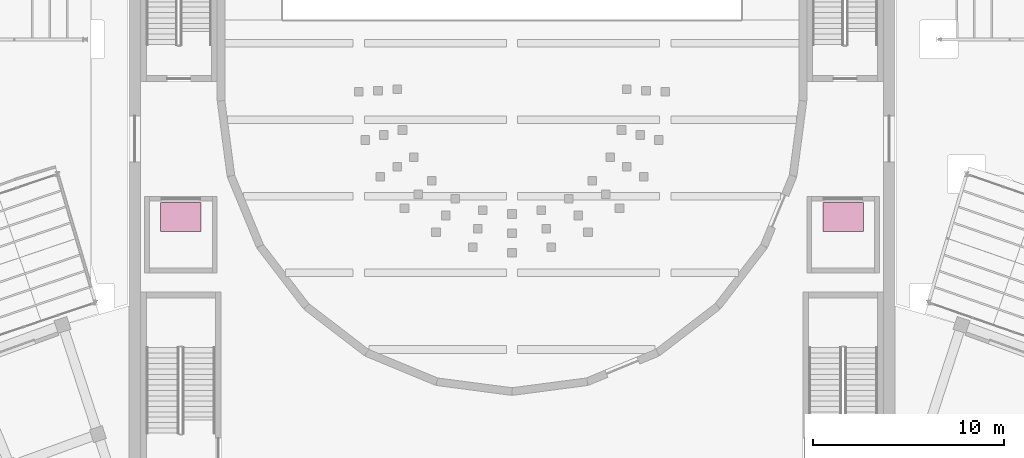
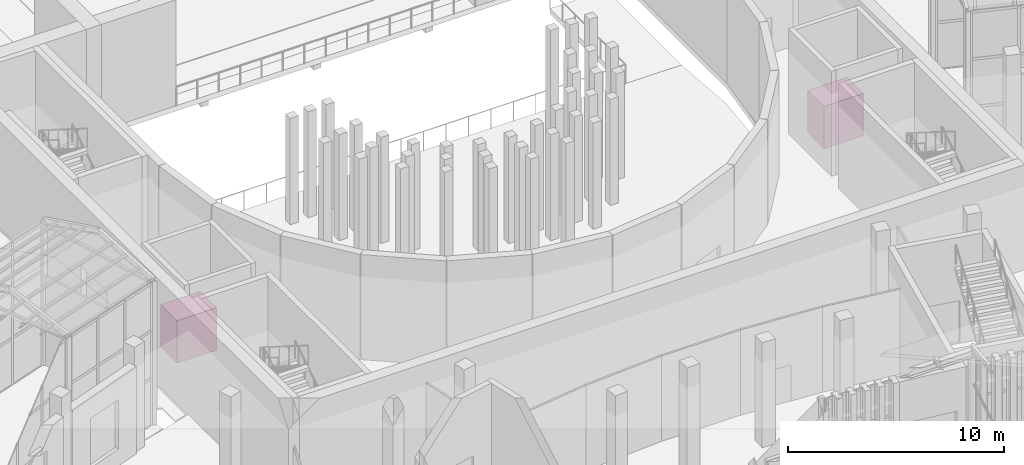
# One storey, part 155 of 155: 2 transport elements.
"""IFC4 building model written with IfcOpenShell, lengths in metres."""

from ifc_helpers import new_model, si_unit, direction, frame, origin, origin_2d, place, context, subcontext, project, spatial, rectangle, extrude, material, type_object, element, save


model = new_model("IFC4")

# Units and contexts
model_context = context("Model", 3, precision=1e-05, world=origin(), true_north=direction((0.0, 1.0)))
body_context = subcontext(model_context, "Body", "Model", "MODEL_VIEW")
ifc_project = project(units=[si_unit("LENGTHUNIT", "METRE"), si_unit("AREAUNIT", "SQUARE_METRE"), si_unit("VOLUMEUNIT", "CUBIC_METRE"), si_unit("PLANEANGLEUNIT", "RADIAN"), si_unit("MASSUNIT", "GRAM", prefix="KILO")], contexts=[model_context])

# Site, building, storey
site_placement = place(None, origin())
site = spatial("IfcSite", under=ifc_project, at=site_placement, CompositionType="ELEMENT")
building_placement = place(site_placement, origin())
building = spatial("IfcBuilding", under=site, at=building_placement, Name="Lunette Opera House", CompositionType="ELEMENT")
storey_placement = place(building_placement, origin())
storey = spatial("IfcBuildingStorey", under=building, at=storey_placement, Name="L00", CompositionType="ELEMENT", Elevation=0.0)

# Transport elements
ifc_material = material(Name="Stainless steel", Category="steel")
transport_element_type = type_object("IfcTransportElementType", Name="LIFT CAR", PredefinedType="ELEVATOR", material=ifc_material)
for number, where, z_axis, x_axis, name in (
    (1, (113.300048828125, 77.929931640625, 0.0), (0.0, 0.0, 1.0), (-1.0, 0.0, 0.0), "Lift LF3 car"),
    (2, (78.699951171875, 77.929931640625, 0.0), (0.0, 0.0, 1.0), (-1.0, 0.0, 0.0), "Lift LF4 car"),
):
    element("IfcTransportElement", number, at=place(storey_placement, frame(where, z_axis=z_axis, x_axis=x_axis)), inside=storey, type_object=transport_element_type, Name=name, PredefinedType="ELEVATOR", context=body_context, shape_type="SweptSolid", body=[
        extrude(rectangle(XDim=2.1201171875, YDim=1.52001953125, at=origin_2d()), origin(), (0.0, 0.0, 1.0), 2.39990234375),
    ])

save(model, "model.ifc")
